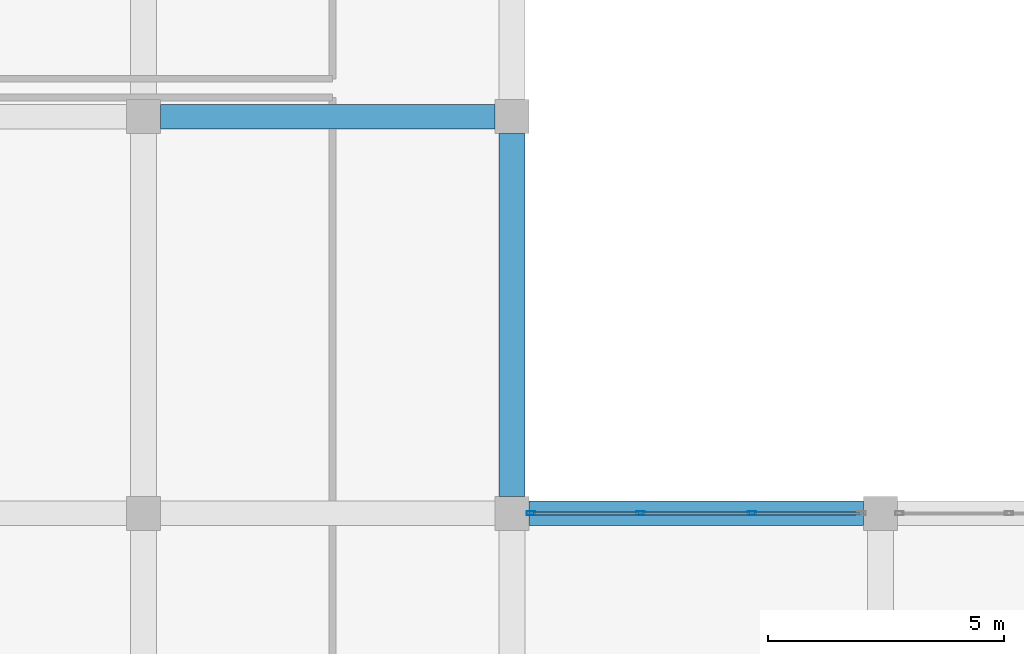
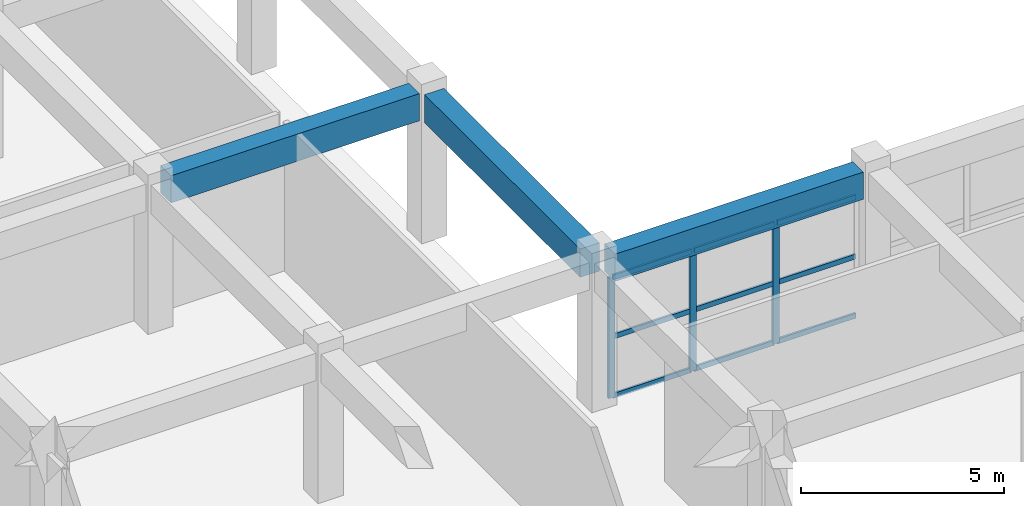
# One storey, part 71 of 139: 12 members, 3 beams, 1 element without a shape of its own.
"""IFC4 building model written with IfcOpenShell, lengths in metres."""

from ifc_helpers import new_model, si_unit, direction, frame, origin, origin_2d, place, context, subcontext, project, spatial, rectangle, hollow_rectangle, extrude, material, layer, layer_set, material_profile, profile_set, type_object, element, aggregate, save


model = new_model("IFC4")

# Units and contexts
model_context = context("Model", 3, precision=1e-05, world=origin(), true_north=direction((0.0, 1.0)))
body_context = subcontext(model_context, "Body", "Model", "MODEL_VIEW")
ifc_project = project(units=[si_unit("LENGTHUNIT", "METRE"), si_unit("AREAUNIT", "SQUARE_METRE"), si_unit("VOLUMEUNIT", "CUBIC_METRE"), si_unit("PLANEANGLEUNIT", "RADIAN"), si_unit("MASSUNIT", "GRAM", prefix="KILO")], contexts=[model_context])

# Site, building, storey
site_placement = place(None, origin())
site = spatial("IfcSite", under=ifc_project, at=site_placement, CompositionType="ELEMENT")
building_placement = place(site_placement, origin())
building = spatial("IfcBuilding", under=site, at=building_placement, Name="Zizhar Promenade General Hospital", CompositionType="ELEMENT")
storey_placement = place(building_placement, origin())
storey = spatial("IfcBuildingStorey", under=building, at=storey_placement, Name="L00", CompositionType="ELEMENT", Elevation=0.0)

# Beams
ifc_material_1 = material(Name="Concrete C35/45", Category="concrete")
ifc_material_profile_1 = material_profile(ifc_material_1, rectangle(XDim=0.52001953125, YDim=0.820068359375, at=origin_2d()))
ifc_profile_set_1 = profile_set([ifc_material_profile_1], Name="Concrete C35/45")
beam_type_1 = type_object("IfcBeamType", Name="BM-RC-520x820", PredefinedType="BEAM", material=ifc_profile_set_1)
beam_1_placement = place(storey_placement, frame((140.760009765625, 75.60009765625, 4.06005859375), z_axis=(1.0, 0.0, 0.0), x_axis=(0.0, 1.0, 0.0)))
element("IfcBeam", 1, at=beam_1_placement, inside=storey, type_object=beam_type_1, Name="Grid Beam X L00 (18-9)", PredefinedType="BEAM", context=body_context, shape_type="SweptSolid", body=[
    extrude(rectangle(XDim=0.52001953125, YDim=0.820068359375, at=origin_2d()), origin(), (0.0, 0.0, 1.0), 7.080078125),
])
beam_2_placement = place(storey_placement, frame((148.56005859375, 67.199951171875, 4.06005859375), z_axis=(1.0, 0.0, 0.0), x_axis=(0.0, 1.0, 0.0)))
element("IfcBeam", 2, at=beam_2_placement, inside=storey, type_object=beam_type_1, Name="Grid Beam X L00 (19-8)", PredefinedType="BEAM", context=body_context, shape_type="SweptSolid", body=[
    extrude(rectangle(XDim=0.52001953125, YDim=0.820068359375, at=origin_2d()), origin(), (0.0, 0.0, 1.0), 7.079833984375),
])
ifc_material_2 = material(Name="Concrete C35/45", Category="concrete")
ifc_material_profile_2 = material_profile(ifc_material_2, rectangle(XDim=0.550048828125, YDim=0.85009765625, at=origin_2d()))
ifc_profile_set_2 = profile_set([ifc_material_profile_2], Name="Concrete C35/45")
beam_type_2 = type_object("IfcBeamType", Name="BM-RC-550x850", PredefinedType="BEAM", material=ifc_profile_set_2)
beam_3_placement = place(storey_placement, frame((148.199951171875, 67.56005859375, 4.044921875), z_axis=(0.0, 1.0, 0.0), x_axis=(-1.0, 0.0, 0.0)))
element("IfcBeam", 3, at=beam_3_placement, inside=storey, type_object=beam_type_2, Name="Grid Beam Y L00 (19-8)", PredefinedType="BEAM", context=body_context, shape_type="SweptSolid", body=[
    extrude(rectangle(XDim=0.550048828125, YDim=0.85009765625, at=origin_2d()), origin(), (0.0, 0.0, 1.0), 7.679931640625),
])

# Curtain wall, members
ifc_material_3 = material(Name="Anodised aluminium 6063-T6 and low-E glass", Category="aluminium")
ifc_layer = layer(ifc_material_3, 0.159912109375)
ifc_layer_set = layer_set([ifc_layer], Name="Anodised aluminium 6063-T6 and low-E glass")
curtain_wall_type = type_object("IfcCurtainWallType", Name="CW-CLN-CRT", PredefinedType="NOTDEFINED", material=ifc_layer_set)
curtain_wall_placement = place(storey_placement, origin())
curtain_wall = element("IfcCurtainWall", 4, at=curtain_wall_placement, inside=storey, type_object=curtain_wall_type, Name="East Light Court South Glazing L00-19", PredefinedType="NOTDEFINED")
ifc_material_4 = material(Name="Anodised aluminium 6063-T6", Category="aluminium")
ifc_material_profile_3 = material_profile(ifc_material_4, hollow_rectangle(XDim=0.080078125, YDim=0.179931640625, WallThickness=0.0048828125, at=origin_2d()))
ifc_profile_set_3 = profile_set([ifc_material_profile_3], Name="Anodised aluminium 6063-T6")
member_type_1 = type_object("IfcMemberType", Name="CWM-ALU-180x80", PredefinedType="MULLION", material=ifc_profile_set_3)
member_1_placement = place(storey_placement, frame((148.60009765625, 67.199951171875, 0.0), z_axis=(0.0, 0.0, 1.0), x_axis=(0.0, 1.0, 0.0)))
member_1 = element("IfcMember", 5, at=member_1_placement, type_object=member_type_1, Name="CW-10 mullion 1", PredefinedType="MULLION", context=body_context, shape_type="SweptSolid", body=[
    extrude(hollow_rectangle(XDim=0.080078125, YDim=0.179931640625, WallThickness=0.0048828125, at=origin_2d()), origin(), (0.0, 0.0, 1.0), 3.6298828125),
])
member_2_placement = place(storey_placement, frame((150.919921875, 67.199951171875, 0.0), z_axis=(0.0, 0.0, 1.0), x_axis=(0.0, 1.0, 0.0)))
member_2 = element("IfcMember", 6, at=member_2_placement, type_object=member_type_1, Name="CW-10 mullion 2", PredefinedType="MULLION", context=body_context, shape_type="SweptSolid", body=[
    extrude(hollow_rectangle(XDim=0.080078125, YDim=0.179931640625, WallThickness=0.0048828125, at=origin_2d()), origin(), (0.0, 0.0, 1.0), 3.6298828125),
])
member_3_placement = place(storey_placement, frame((153.280029296875, 67.199951171875, 0.0), z_axis=(0.0, 0.0, 1.0), x_axis=(0.0, 1.0, 0.0)))
member_3 = element("IfcMember", 7, at=member_3_placement, type_object=member_type_1, Name="CW-10 mullion 3", PredefinedType="MULLION", context=body_context, shape_type="SweptSolid", body=[
    extrude(hollow_rectangle(XDim=0.080078125, YDim=0.179931640625, WallThickness=0.0048828125, at=origin_2d()), origin(), (0.0, 0.0, 1.0), 3.6298828125),
])
ifc_material_5 = material(Name="Anodised aluminium 6063-T6", Category="aluminium")
ifc_material_profile_4 = material_profile(ifc_material_5, hollow_rectangle(XDim=0.06005859375, YDim=0.14990234375, WallThickness=0.00390625, at=origin_2d()))
ifc_profile_set_4 = profile_set([ifc_material_profile_4], Name="Anodised aluminium 6063-T6")
member_type_2 = type_object("IfcMemberType", Name="CWT-ALU-150x60", PredefinedType="USERDEFINED", material=ifc_profile_set_4)
member_4_placement = place(storey_placement, frame((148.639892578125, 67.199951171875, 0.030029296875), z_axis=(1.0, 0.0, 0.0), x_axis=(0.0, 1.0, 0.0)))
member_4 = element("IfcMember", 8, at=member_4_placement, type_object=member_type_2, Name="CW-10 transom 1.1", ObjectType="TRANSOM", PredefinedType="USERDEFINED", context=body_context, shape_type="SweptSolid", body=[
    extrude(hollow_rectangle(XDim=0.06005859375, YDim=0.14990234375, WallThickness=0.00390625, at=origin_2d()), origin(), (0.0, 0.0, 1.0), 2.239990234375),
])
member_5_placement = place(storey_placement, frame((148.639892578125, 67.199951171875, 1.81494140625), z_axis=(1.0, 0.0, 0.0), x_axis=(0.0, 1.0, 0.0)))
member_5 = element("IfcMember", 9, at=member_5_placement, type_object=member_type_2, Name="CW-10 transom 1.2", ObjectType="TRANSOM", PredefinedType="USERDEFINED", context=body_context, shape_type="SweptSolid", body=[
    extrude(hollow_rectangle(XDim=0.06005859375, YDim=0.14990234375, WallThickness=0.00390625, at=origin_2d()), origin(), (0.0, 0.0, 1.0), 2.239990234375),
])
member_6_placement = place(storey_placement, frame((148.639892578125, 67.199951171875, 3.60009765625), z_axis=(1.0, 0.0, 0.0), x_axis=(0.0, 1.0, 0.0)))
member_6 = element("IfcMember", 10, at=member_6_placement, type_object=member_type_2, Name="CW-10 transom 1.3", ObjectType="TRANSOM", PredefinedType="USERDEFINED", context=body_context, shape_type="SweptSolid", body=[
    extrude(hollow_rectangle(XDim=0.06005859375, YDim=0.14990234375, WallThickness=0.00390625, at=origin_2d()), origin(), (0.0, 0.0, 1.0), 2.239990234375),
])
member_7_placement = place(storey_placement, frame((150.9599609375, 67.199951171875, 0.030029296875), z_axis=(1.0, 0.0, 0.0), x_axis=(0.0, 1.0, 0.0)))
member_7 = element("IfcMember", 11, at=member_7_placement, type_object=member_type_2, Name="CW-10 transom 2.1", ObjectType="TRANSOM", PredefinedType="USERDEFINED", context=body_context, shape_type="SweptSolid", body=[
    extrude(hollow_rectangle(XDim=0.06005859375, YDim=0.14990234375, WallThickness=0.00390625, at=origin_2d()), origin(), (0.0, 0.0, 1.0), 2.280029296875),
])
member_8_placement = place(storey_placement, frame((150.9599609375, 67.199951171875, 1.81494140625), z_axis=(1.0, 0.0, 0.0), x_axis=(0.0, 1.0, 0.0)))
member_8 = element("IfcMember", 12, at=member_8_placement, type_object=member_type_2, Name="CW-10 transom 2.2", ObjectType="TRANSOM", PredefinedType="USERDEFINED", context=body_context, shape_type="SweptSolid", body=[
    extrude(hollow_rectangle(XDim=0.06005859375, YDim=0.14990234375, WallThickness=0.00390625, at=origin_2d()), origin(), (0.0, 0.0, 1.0), 2.280029296875),
])
member_9_placement = place(storey_placement, frame((150.9599609375, 67.199951171875, 3.60009765625), z_axis=(1.0, 0.0, 0.0), x_axis=(0.0, 1.0, 0.0)))
member_9 = element("IfcMember", 13, at=member_9_placement, type_object=member_type_2, Name="CW-10 transom 2.3", ObjectType="TRANSOM", PredefinedType="USERDEFINED", context=body_context, shape_type="SweptSolid", body=[
    extrude(hollow_rectangle(XDim=0.06005859375, YDim=0.14990234375, WallThickness=0.00390625, at=origin_2d()), origin(), (0.0, 0.0, 1.0), 2.280029296875),
])
member_10_placement = place(storey_placement, frame((153.320068359375, 67.199951171875, 0.030029296875), z_axis=(1.0, 0.0, 0.0), x_axis=(0.0, 1.0, 0.0)))
member_10 = element("IfcMember", 14, at=member_10_placement, type_object=member_type_2, Name="CW-10 transom 3.1", ObjectType="TRANSOM", PredefinedType="USERDEFINED", context=body_context, shape_type="SweptSolid", body=[
    extrude(hollow_rectangle(XDim=0.06005859375, YDim=0.14990234375, WallThickness=0.00390625, at=origin_2d()), origin(), (0.0, 0.0, 1.0), 2.239990234375),
])
member_11_placement = place(storey_placement, frame((153.320068359375, 67.199951171875, 1.81494140625), z_axis=(1.0, 0.0, 0.0), x_axis=(0.0, 1.0, 0.0)))
member_11 = element("IfcMember", 15, at=member_11_placement, type_object=member_type_2, Name="CW-10 transom 3.2", ObjectType="TRANSOM", PredefinedType="USERDEFINED", context=body_context, shape_type="SweptSolid", body=[
    extrude(hollow_rectangle(XDim=0.06005859375, YDim=0.14990234375, WallThickness=0.00390625, at=origin_2d()), origin(), (0.0, 0.0, 1.0), 2.239990234375),
])
member_12_placement = place(storey_placement, frame((153.320068359375, 67.199951171875, 3.60009765625), z_axis=(1.0, 0.0, 0.0), x_axis=(0.0, 1.0, 0.0)))
member_12 = element("IfcMember", 16, at=member_12_placement, type_object=member_type_2, Name="CW-10 transom 3.3", ObjectType="TRANSOM", PredefinedType="USERDEFINED", context=body_context, shape_type="SweptSolid", body=[
    extrude(hollow_rectangle(XDim=0.06005859375, YDim=0.14990234375, WallThickness=0.00390625, at=origin_2d()), origin(), (0.0, 0.0, 1.0), 2.239990234375),
])
aggregate(curtain_wall, [member_1, member_2, member_3, member_4, member_5, member_6, member_7, member_8, member_9, member_10, member_11, member_12])

save(model, "model.ifc")
